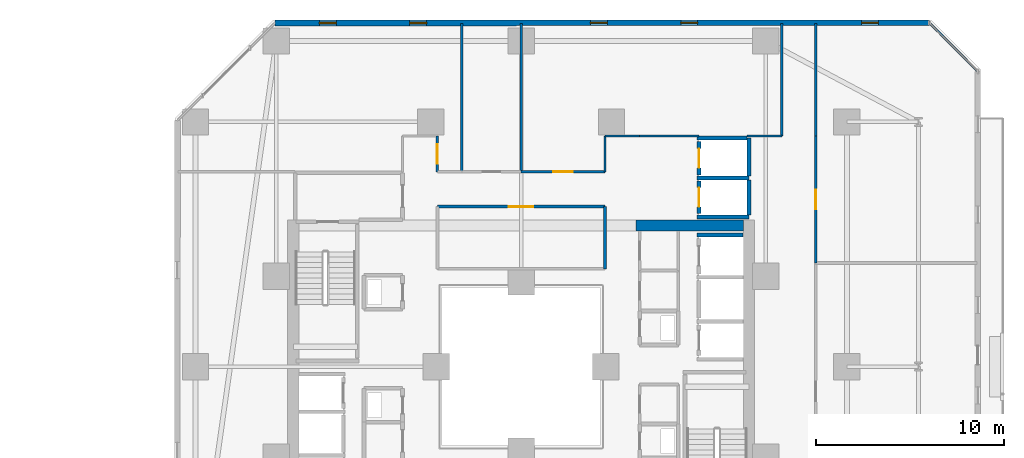
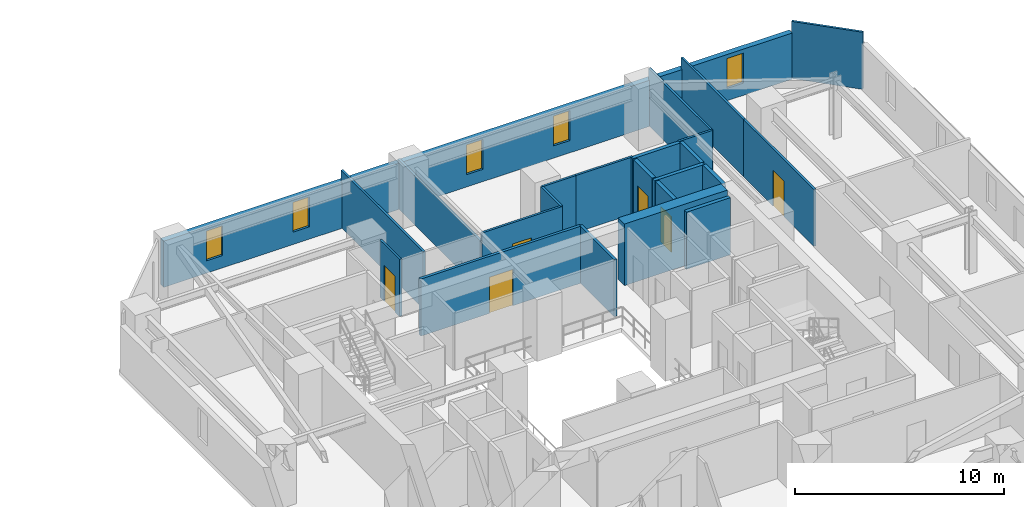
# One storey, part 25 of 33: 24 walls, 6 doors, 5 windows, 11 openings.
"""IFC4 building model written with IfcOpenShell, lengths in metres."""

from ifc_helpers import new_model, si_unit, direction, frame, frame_2d, origin, place, context, subcontext, project, spatial, rectangle, extrude, material, layer, layer_set, type_object, element, fill, save


model = new_model("IFC4")

# Units and contexts
model_context = context("Model", 3, precision=1e-05, world=origin(), true_north=direction((0.0, 1.0)))
body_context = subcontext(model_context, "Body", "Model", "MODEL_VIEW")
ifc_project = project(units=[si_unit("LENGTHUNIT", "METRE"), si_unit("AREAUNIT", "SQUARE_METRE"), si_unit("VOLUMEUNIT", "CUBIC_METRE"), si_unit("PLANEANGLEUNIT", "RADIAN"), si_unit("MASSUNIT", "GRAM", prefix="KILO")], contexts=[model_context])

# Site, building, storey
site_placement = place(None, origin())
site = spatial("IfcSite", under=ifc_project, at=site_placement, CompositionType="ELEMENT")
building_placement = place(site_placement, origin())
building = spatial("IfcBuilding", under=site, at=building_placement, Name="Thornwick Lancets Civic Towers", CompositionType="ELEMENT")
storey_placement = place(building_placement, frame((0.0, 0.0, 38.699951171875)))
storey = spatial("IfcBuildingStorey", under=building, at=storey_placement, Name="L09", CompositionType="ELEMENT", Elevation=38.699951171875)

# Wall, opening, door
ifc_material_1 = material(Name="Concrete blockwork C40/50", Category="masonry")
ifc_layer_1 = layer(ifc_material_1, 0.199951171875, Name="Concrete blockwork C40/50")
ifc_layer_set_1 = layer_set([ifc_layer_1], Name="Concrete blockwork C40/50")
wall_type_1 = type_object("IfcWallType", Name="WALL_COMP_200", PredefinedType="STANDARD", material=ifc_layer_set_1)
wall_1_placement = place(storey_placement, frame((97.949951171875, 36.8701171875, 0.0), z_axis=(0.0, 0.0, 1.0), x_axis=(0.0, -1.0, 0.0)))
wall_1 = element("IfcWall", 1, at=wall_1_placement, inside=storey, type_object=wall_type_1, Name="L09 Hoistway Front Wall PL-BL2", PredefinedType="STANDARD", context=body_context, shape_type="SweptSolid", body=[
    extrude(rectangle(XDim=1.740234375, YDim=0.199951171875, at=frame_2d((0.8701171875, 0.0))), origin(), (0.0, 0.0, 1.0), 3.340087890625),
])
opening_1_placement = place(wall_1_placement, frame((0.360107421875, 0.0, 0.0)))
opening_1 = element("IfcOpeningElement", 2, at=opening_1_placement, cuts=wall_1, Name="Opening LD-PL-BL2", PredefinedType="OPENING", context=body_context, shape_type="SweptSolid", body=[
    extrude(rectangle(XDim=1.02001953125, YDim=2.06005859375, at=frame_2d((0.510009765625, 1.030029296875))), frame((0.0, 0.10986328125, 0.0), z_axis=(0.0, -1.0, 0.0), x_axis=(1.0, 0.0, 0.0)), (0.0, 0.0, 1.0), 0.219970703125),
])
ifc_material_2 = material(Name="Brushed bronze stainless steel", Category="steel")
door_type_1 = type_object("IfcDoorType", Name="DOOR_LIFT_SLIDE", OperationType="SLIDING_TO_LEFT", PredefinedType="DOOR", material=ifc_material_2)
door_1_placement = place(opening_1_placement, origin())
door_1 = element("IfcDoor", 3, at=door_1_placement, inside=storey, type_object=door_type_1, Name="L09 Sliding Lift Landing Door LD-PL-BL2", OperationType="SLIDING_TO_LEFT", OverallHeight=2.06005859375, OverallWidth=1.02001953125, PredefinedType="DOOR", context=body_context, shape_type="SweptSolid", body=[
    extrude(rectangle(XDim=1.02001953125, YDim=2.06005859375, at=frame_2d((0.510009765625, 1.030029296875))), frame((0.0, 0.02490234375, 0.0), z_axis=(0.0, -1.0, 0.0), x_axis=(1.0, 0.0, 0.0)), (0.0, 0.0, 1.0), 0.050048828125),
])
fill(opening_1, door_1)

wall_2_placement = place(storey_placement, frame((97.949951171875, 38.969970703125, 0.0), z_axis=(0.0, 0.0, 1.0), x_axis=(0.0, -1.0, 0.0)))
wall_2 = element("IfcWall", 4, at=wall_2_placement, inside=storey, type_object=wall_type_1, Name="L09 Hoistway Front Wall PL-BL3", PredefinedType="STANDARD", context=body_context, shape_type="SweptSolid", body=[
    extrude(rectangle(XDim=1.7900390625, YDim=0.199951171875, at=frame_2d((0.89501953125, 0.0))), origin(), (0.0, 0.0, 1.0), 3.340087890625),
])
opening_2_placement = place(wall_2_placement, frame((0.385009765625, 0.0, 0.0)))
opening_2 = element("IfcOpeningElement", 5, at=opening_2_placement, cuts=wall_2, Name="Opening LD-PL-BL3", PredefinedType="OPENING", context=body_context, shape_type="SweptSolid", body=[
    extrude(rectangle(XDim=1.02001953125, YDim=2.06005859375, at=frame_2d((0.510009765625, 1.030029296875))), frame((0.0, 0.10986328125, 0.0), z_axis=(0.0, -1.0, 0.0), x_axis=(1.0, 0.0, 0.0)), (0.0, 0.0, 1.0), 0.219970703125),
])
door_2_placement = place(opening_2_placement, origin())
door_2 = element("IfcDoor", 6, at=door_2_placement, inside=storey, type_object=door_type_1, Name="L09 Sliding Lift Landing Door LD-PL-BL3", OperationType="SLIDING_TO_LEFT", OverallHeight=2.06005859375, OverallWidth=1.02001953125, PredefinedType="DOOR", context=body_context, shape_type="SweptSolid", body=[
    extrude(rectangle(XDim=1.02001953125, YDim=2.06005859375, at=frame_2d((0.510009765625, 1.030029296875))), frame((0.0, 0.02490234375, 0.0), z_axis=(0.0, -1.0, 0.0), x_axis=(1.0, 0.0, 0.0)), (0.0, 0.0, 1.0), 0.050048828125),
])
fill(opening_2, door_2)

# Walls
wall_3_placement = place(storey_placement, frame((97.85205078125, 34.0, 0.0), z_axis=(0.0, 0.0, 1.0), x_axis=(1.0, 0.0, 0.0)))
element("IfcWall", 7, at=wall_3_placement, inside=storey, type_object=wall_type_1, Name="L09 Hoistway Shaft Wall PL-BL1 N", PredefinedType="STANDARD", context=body_context, shape_type="SweptSolid", body=[
    extrude(rectangle(XDim=2.43603515625, YDim=0.199951171875, at=frame_2d((1.218017578125, 0.0))), origin(), (0.0, 0.0, 1.0), 3.340087890625),
])
for number, where, z_axis, x_axis, name in (
    (8, (97.85205078125, 37.02490234375, 0.0), (0.0, 0.0, 1.0), (1.0, 0.0, 0.0), "L09 Hoistway Shaft Wall PL-BL2 N"),
    (9, (97.85205078125, 34.949951171875, 0.0), (0.0, 0.0, 1.0), (1.0, 0.0, 0.0), "L09 Hoistway Shaft Wall PL-BL2 S"),
):
    element("IfcWall", number, at=place(storey_placement, frame(where, z_axis=z_axis, x_axis=x_axis)), inside=storey, type_object=wall_type_1, Name=name, PredefinedType="STANDARD", context=body_context, shape_type="SweptSolid", body=[
        extrude(rectangle(XDim=2.745849609375, YDim=0.199951171875, at=frame_2d((1.373046875, 0.0))), origin(), (0.0, 0.0, 1.0), 3.340087890625),
    ])
wall_4_placement = place(storey_placement, frame((100.60009765625, 35.06201171875, 0.0), z_axis=(0.0, 0.0, 1.0), x_axis=(0.0, 1.0, 0.0)))
element("IfcWall", 10, at=wall_4_placement, inside=storey, type_object=wall_type_1, Name="L09 Hoistway Shaft Wall PL-BL2 E", PredefinedType="STANDARD", context=body_context, shape_type="SweptSolid", body=[
    extrude(rectangle(XDim=1.85595703125, YDim=0.199951171875, at=frame_2d((0.927978515625, 0.0))), origin(), (0.0, 0.0, 1.0), 3.340087890625),
])
wall_5_placement = place(storey_placement, frame((100.60009765625, 37.132080078125, 0.0), z_axis=(0.0, 0.0, 1.0), x_axis=(0.0, 1.0, 0.0)))
element("IfcWall", 11, at=wall_5_placement, inside=storey, type_object=wall_type_1, Name="L09 Hoistway Shaft Wall PL-BL2 E", PredefinedType="STANDARD", context=body_context, shape_type="SweptSolid", body=[
    extrude(rectangle(XDim=2.015869140625, YDim=0.199951171875, at=frame_2d((1.0078125, 0.0))), origin(), (0.0, 0.0, 1.0), 3.340087890625),
])
wall_6_placement = place(storey_placement, frame((97.85205078125, 39.14990234375, 0.0), z_axis=(0.0, 0.0, 1.0), x_axis=(1.0, 0.0, 0.0)))
element("IfcWall", 12, at=wall_6_placement, inside=storey, type_object=wall_type_1, Name="L09 Hoistway Shaft Wall PL-BL3 N", PredefinedType="STANDARD", context=body_context, shape_type="SweptSolid", body=[
    extrude(rectangle(XDim=2.635986328125, YDim=0.199951171875, at=frame_2d((1.31787109375, 0.0))), origin(), (0.0, 0.0, 1.0), 3.340087890625),
])
ifc_material_3 = material(Name="Concrete C60/75", Category="concrete")
ifc_layer_2 = layer(ifc_material_3, 0.60009765625, Name="Concrete C60/75")
ifc_layer_set_2 = layer_set([ifc_layer_2], Name="Concrete C60/75")
wall_type_2 = type_object("IfcWallType", Name="WALL_CORE_600", PredefinedType="SHEAR", material=ifc_layer_set_2)
wall_7_placement = place(storey_placement, frame((94.60009765625, 34.5, 0.0), z_axis=(0.0, 0.0, 1.0), x_axis=(1.0, 0.0, 0.0)))
element("IfcWall", 13, at=wall_7_placement, inside=storey, type_object=wall_type_2, Name="L09 Split Core B1 Shear Wall N", PredefinedType="SHEAR", context=body_context, shape_type="SweptSolid", body=[
    extrude(rectangle(XDim=5.699951171875, YDim=0.60009765625, at=frame_2d((2.85009765625, 0.0))), origin(), (0.0, 0.0, 1.0), 3.60009765625),
])

# Wall, openings, windows
ifc_material_4 = material(Name="Insulated russet terracotta rainscreen on concrete C40/50", Category="masonry")
ifc_layer_3 = layer(ifc_material_4, 0.300048828125, Name="Insulated russet terracotta rainscreen on concrete C40/50")
ifc_layer_set_3 = layer_set([ifc_layer_3], Name="Insulated russet terracotta rainscreen on concrete C40/50")
wall_type_3 = type_object("IfcWallType", Name="WALL_EXT_RUSSET_300", PredefinedType="STANDARD", material=ifc_layer_set_3)
wall_8_placement = place(storey_placement, frame((110.18115234375, 45.264892578125, 0.0), z_axis=(0.0, 0.0, 1.0), x_axis=(-0.999999969775, -0.000245864205, 0.0)))
wall_8 = element("IfcWall", 14, at=wall_8_placement, inside=storey, type_object=wall_type_3, Name="L09 Tower B Terracotta Facade Wall E4", PredefinedType="STANDARD", context=body_context, shape_type="SweptSolid", body=[
    extrude(rectangle(XDim=34.754638671875, YDim=0.300048828125, at=frame_2d((17.37744140625, 0.0))), origin(), (0.0, 0.0, 1.0), 2.699951171875),
])
opening_3_placement = place(wall_8_placement, frame((2.699951171875, 0.0, 0.719970703125)))
opening_3 = element("IfcOpeningElement", 15, at=opening_3_placement, cuts=wall_8, Name="Opening WL-01", PredefinedType="OPENING", context=body_context, shape_type="SweptSolid", body=[
    extrude(rectangle(XDim=0.89990234375, YDim=1.75, at=frame_2d((0.449951171875, 0.875))), frame((0.0, 0.16015625, 0.0), z_axis=(0.0, -1.0, 0.0), x_axis=(1.0, 0.0, 0.0)), (0.0, 0.0, 1.0), 0.320068359375),
])
opening_4_placement = place(wall_8_placement, frame((12.300048828125, 0.0, 0.719970703125)))
opening_4 = element("IfcOpeningElement", 16, at=opening_4_placement, cuts=wall_8, Name="Opening WL-01", PredefinedType="OPENING", context=body_context, shape_type="SweptSolid", body=[
    extrude(rectangle(XDim=0.89990234375, YDim=1.75, at=frame_2d((0.449951171875, 0.875))), frame((0.0, 0.16015625, 0.0), z_axis=(0.0, -1.0, 0.0), x_axis=(1.0, 0.0, 0.0)), (0.0, 0.0, 1.0), 0.320068359375),
])
opening_5_placement = place(wall_8_placement, frame((17.10009765625, 0.0, 0.719970703125)))
opening_5 = element("IfcOpeningElement", 17, at=opening_5_placement, cuts=wall_8, Name="Opening WL-01", PredefinedType="OPENING", context=body_context, shape_type="SweptSolid", body=[
    extrude(rectangle(XDim=0.89990234375, YDim=1.75, at=frame_2d((0.449951171875, 0.875))), frame((0.0, 0.16015625, 0.0), z_axis=(0.0, -1.0, 0.0), x_axis=(1.0, 0.0, 0.0)), (0.0, 0.0, 1.0), 0.320068359375),
])
opening_6_placement = place(wall_8_placement, frame((26.699951171875, 0.0, 0.719970703125)))
opening_6 = element("IfcOpeningElement", 18, at=opening_6_placement, cuts=wall_8, Name="Opening WL-01", PredefinedType="OPENING", context=body_context, shape_type="SweptSolid", body=[
    extrude(rectangle(XDim=0.89990234375, YDim=1.75, at=frame_2d((0.449951171875, 0.875))), frame((0.0, 0.16015625, 0.0), z_axis=(0.0, -1.0, 0.0), x_axis=(1.0, 0.0, 0.0)), (0.0, 0.0, 1.0), 0.320068359375),
])
opening_7_placement = place(wall_8_placement, frame((31.5, 0.0, 0.719970703125)))
opening_7 = element("IfcOpeningElement", 19, at=opening_7_placement, cuts=wall_8, Name="Opening WL-01", PredefinedType="OPENING", context=body_context, shape_type="SweptSolid", body=[
    extrude(rectangle(XDim=0.89990234375, YDim=1.75, at=frame_2d((0.449951171875, 0.875))), frame((0.0, 0.16015625, 0.0), z_axis=(0.0, -1.0, 0.0), x_axis=(1.0, 0.0, 0.0)), (0.0, 0.0, 1.0), 0.320068359375),
])
ifc_material_5 = material(Name="Clear low-e double glazing in bronze frame", Category="glass")
window_type = type_object("IfcWindowType", Name="WIN_LANCET_900", PartitioningType="SINGLE_PANEL", PredefinedType="WINDOW", material=ifc_material_5)
window_1_placement = place(opening_3_placement, origin())
window_1 = element("IfcWindow", 20, at=window_1_placement, inside=storey, type_object=window_type, Name="L09 Tower B Staggered Lancet Window E4-1", OverallHeight=1.75, OverallWidth=0.89990234375, PartitioningType="SINGLE_PANEL", PredefinedType="WINDOW", context=body_context, shape_type="SweptSolid", body=[
    extrude(rectangle(XDim=0.89990234375, YDim=1.75, at=frame_2d((0.449951171875, 0.875))), frame((0.0, 0.030029296875, 0.0), z_axis=(0.0, -1.0, 0.0), x_axis=(1.0, 0.0, 0.0)), (0.0, 0.0, 1.0), 0.06005859375),
])
fill(opening_3, window_1)
window_2_placement = place(opening_4_placement, origin())
window_2 = element("IfcWindow", 21, at=window_2_placement, inside=storey, type_object=window_type, Name="L09 Tower B Staggered Lancet Window E4-2", OverallHeight=1.75, OverallWidth=0.89990234375, PartitioningType="SINGLE_PANEL", PredefinedType="WINDOW", context=body_context, shape_type="SweptSolid", body=[
    extrude(rectangle(XDim=0.89990234375, YDim=1.75, at=frame_2d((0.449951171875, 0.875))), frame((0.0, 0.030029296875, 0.0), z_axis=(0.0, -1.0, 0.0), x_axis=(1.0, 0.0, 0.0)), (0.0, 0.0, 1.0), 0.06005859375),
])
fill(opening_4, window_2)
window_3_placement = place(opening_5_placement, origin())
window_3 = element("IfcWindow", 22, at=window_3_placement, inside=storey, type_object=window_type, Name="L09 Tower B Staggered Lancet Window E4-3", OverallHeight=1.75, OverallWidth=0.89990234375, PartitioningType="SINGLE_PANEL", PredefinedType="WINDOW", context=body_context, shape_type="SweptSolid", body=[
    extrude(rectangle(XDim=0.89990234375, YDim=1.75, at=frame_2d((0.449951171875, 0.875))), frame((0.0, 0.030029296875, 0.0), z_axis=(0.0, -1.0, 0.0), x_axis=(1.0, 0.0, 0.0)), (0.0, 0.0, 1.0), 0.06005859375),
])
fill(opening_5, window_3)
window_4_placement = place(opening_6_placement, origin())
window_4 = element("IfcWindow", 23, at=window_4_placement, inside=storey, type_object=window_type, Name="L09 Tower B Staggered Lancet Window E4-4", OverallHeight=1.75, OverallWidth=0.89990234375, PartitioningType="SINGLE_PANEL", PredefinedType="WINDOW", context=body_context, shape_type="SweptSolid", body=[
    extrude(rectangle(XDim=0.89990234375, YDim=1.75, at=frame_2d((0.449951171875, 0.875))), frame((0.0, 0.030029296875, 0.0), z_axis=(0.0, -1.0, 0.0), x_axis=(1.0, 0.0, 0.0)), (0.0, 0.0, 1.0), 0.06005859375),
])
fill(opening_6, window_4)
window_5_placement = place(opening_7_placement, origin())
window_5 = element("IfcWindow", 24, at=window_5_placement, inside=storey, type_object=window_type, Name="L09 Tower B Staggered Lancet Window E4-5", OverallHeight=1.75, OverallWidth=0.89990234375, PartitioningType="SINGLE_PANEL", PredefinedType="WINDOW", context=body_context, shape_type="SweptSolid", body=[
    extrude(rectangle(XDim=0.89990234375, YDim=1.75, at=frame_2d((0.449951171875, 0.875))), frame((0.0, 0.030029296875, 0.0), z_axis=(0.0, -1.0, 0.0), x_axis=(1.0, 0.0, 0.0)), (0.0, 0.0, 1.0), 0.06005859375),
])
fill(opening_7, window_5)

# Walls
ifc_material_6 = material(Name="Acoustic gypsum board partition")
ifc_layer_4 = layer(ifc_material_6, 0.1201171875, Name="Acoustic gypsum board partition")
ifc_layer_set_4 = layer_set([ifc_layer_4], Name="Acoustic gypsum board partition")
wall_type_4 = type_object("IfcWallType", Name="WALL_PART_120", PredefinedType="PARTITIONING", material=ifc_layer_set_4)
wall_9_placement = place(storey_placement, frame((97.949951171875, 39.25, 0.0), z_axis=(0.0, 0.0, 1.0), x_axis=(-1.0, 0.0, 0.0)))
element("IfcWall", 25, at=wall_9_placement, inside=storey, type_object=wall_type_4, Name="L09 Partition L09-B-E1 E1", PredefinedType="PARTITIONING", context=body_context, shape_type="SweptSolid", body=[
    extrude(rectangle(XDim=3.14990234375, YDim=0.1201171875, at=frame_2d((1.574951171875, 0.0))), origin(), (0.0, 0.0, 1.0), 3.340087890625),
])
wall_10_placement = place(storey_placement, frame((94.800048828125, 39.25, 0.0), z_axis=(0.0, 0.0, 1.0), x_axis=(-1.0, 0.0, 0.0)))
element("IfcWall", 26, at=wall_10_placement, inside=storey, type_object=wall_type_4, Name="L09 Partition L09-B-E1 E2", PredefinedType="PARTITIONING", context=body_context, shape_type="SweptSolid", body=[
    extrude(rectangle(XDim=1.85009765625, YDim=0.1201171875, at=frame_2d((0.925048828125, 0.0))), origin(), (0.0, 0.0, 1.0), 3.340087890625),
])
wall_11_placement = place(storey_placement, frame((92.949951171875, 39.25, 0.0), z_axis=(0.0, 0.0, 1.0), x_axis=(0.0, -1.0, 0.0)))
element("IfcWall", 27, at=wall_11_placement, inside=storey, type_object=wall_type_4, Name="L09 Partition L09-B-E1 E3", PredefinedType="PARTITIONING", context=body_context, shape_type="SweptSolid", body=[
    extrude(rectangle(XDim=1.89990234375, YDim=0.1201171875, at=frame_2d((0.949951171875, 0.0))), origin(), (0.0, 0.0, 1.0), 3.340087890625),
])

# Wall, opening, door
wall_12_placement = place(storey_placement, frame((92.949951171875, 37.35009765625, 0.0), z_axis=(0.0, 0.0, 1.0), x_axis=(-1.0, 0.0, 0.0)))
wall_12 = element("IfcWall", 28, at=wall_12_placement, inside=storey, type_object=wall_type_4, Name="L09 Partition L09-B-E1 E4", PredefinedType="PARTITIONING", context=body_context, shape_type="SweptSolid", body=[
    extrude(rectangle(XDim=4.449951171875, YDim=0.1201171875, at=frame_2d((2.22509765625, 0.0))), origin(), (0.0, 0.0, 1.0), 3.340087890625),
])
opening_8_placement = place(wall_12_placement, frame((1.699951171875, 0.0, 0.0)))
opening_8 = element("IfcOpeningElement", 29, at=opening_8_placement, cuts=wall_12, Name="Opening D-L09-0475", PredefinedType="OPENING", context=body_context, shape_type="SweptSolid", body=[
    extrude(rectangle(XDim=1.050048828125, YDim=2.10009765625, at=frame_2d((0.52490234375, 1.050048828125))), frame((0.0, 0.070068359375, 0.0), z_axis=(0.0, -1.0, 0.0), x_axis=(1.0, 0.0, 0.0)), (0.0, 0.0, 1.0), 0.14013671875),
])
ifc_material_7 = material(Name="Glazed European oak executive doorset")
door_type_2 = type_object("IfcDoorType", Name="DOOR_OFFICE_1050", OperationType="NOTDEFINED", PredefinedType="DOOR", material=ifc_material_7)
door_3_placement = place(opening_8_placement, origin())
door_3 = element("IfcDoor", 30, at=door_3_placement, inside=storey, type_object=door_type_2, Name="L09 Tower B Secretariat Open Office E1 Door", OperationType="SINGLE_SWING_RIGHT", OverallHeight=2.10009765625, OverallWidth=1.050048828125, PredefinedType="DOOR", context=body_context, shape_type="SweptSolid", body=[
    extrude(rectangle(XDim=1.050048828125, YDim=2.10009765625, at=frame_2d((0.52490234375, 1.050048828125))), frame((0.0, 0.02490234375, 0.0), z_axis=(0.0, -1.0, 0.0), x_axis=(1.0, 0.0, 0.0)), (0.0, 0.0, 1.0), 0.050048828125),
])
fill(opening_8, door_3)

# Walls
wall_13_placement = place(storey_placement, frame((88.5, 37.35009765625, 0.0), z_axis=(0.0, 0.0, 1.0), x_axis=(0.0, 1.0, 0.0)))
element("IfcWall", 31, at=wall_13_placement, inside=storey, type_object=wall_type_4, Name="L09 Partition L09-B-E1 E5", PredefinedType="PARTITIONING", context=body_context, shape_type="SweptSolid", body=[
    extrude(rectangle(XDim=7.869873046875, YDim=0.1201171875, at=frame_2d((3.93505859375, 0.0))), origin(), (0.0, 0.0, 1.0), 2.881591796875),
])
wall_14_placement = place(storey_placement, frame((102.35009765625, 45.219970703125, 0.0), z_axis=(0.0, 0.0, 1.0), x_axis=(0.0, -1.0, 0.0)))
element("IfcWall", 32, at=wall_14_placement, inside=storey, type_object=wall_type_4, Name="L09 Partition L09-B-E1 E7", PredefinedType="PARTITIONING", context=body_context, shape_type="SweptSolid", body=[
    extrude(rectangle(XDim=5.969970703125, YDim=0.1201171875, at=frame_2d((2.98486328125, 0.0))), origin(), (0.0, 0.0, 1.0), 3.340087890625),
])
wall_15_placement = place(storey_placement, frame((102.35009765625, 39.25, 0.0), z_axis=(0.0, 0.0, 1.0), x_axis=(-1.0, 0.0, 0.0)))
element("IfcWall", 33, at=wall_15_placement, inside=storey, type_object=wall_type_4, Name="L09 Partition L09-B-E1 E8", PredefinedType="PARTITIONING", context=body_context, shape_type="SweptSolid", body=[
    extrude(rectangle(XDim=1.862060546875, YDim=0.1201171875, at=frame_2d((0.93115234375, 0.0))), origin(), (0.0, 0.0, 1.0), 3.340087890625),
])
wall_16_placement = place(storey_placement, frame((85.35009765625, 37.35009765625, 0.0), z_axis=(0.0, 0.0, 1.0), x_axis=(0.0, 1.0, 0.0)))
element("IfcWall", 34, at=wall_16_placement, inside=storey, type_object=wall_type_4, Name="L09 Partition L09-B-E2 E1", PredefinedType="PARTITIONING", context=body_context, shape_type="SweptSolid", body=[
    extrude(rectangle(XDim=7.869873046875, YDim=0.1201171875, at=frame_2d((3.93505859375, 0.0))), origin(), (0.0, 0.0, 1.0), 3.340087890625),
])

# Wall, opening, door
wall_17_placement = place(storey_placement, frame((84.050048828125, 37.35009765625, 0.0), z_axis=(0.0, 0.0, 1.0), x_axis=(0.0, 1.0, 0.0)))
wall_17 = element("IfcWall", 35, at=wall_17_placement, inside=storey, type_object=wall_type_4, Name="L09 Partition L09-B-E3 E1", PredefinedType="PARTITIONING", context=body_context, shape_type="SweptSolid", body=[
    extrude(rectangle(XDim=1.89990234375, YDim=0.1201171875, at=frame_2d((0.949951171875, 0.0))), origin(), (0.0, 0.0, 1.0), 3.340087890625),
])
opening_9_placement = place(wall_17_placement, frame((0.425048828125, 0.0, 0.0)))
opening_9 = element("IfcOpeningElement", 36, at=opening_9_placement, cuts=wall_17, Name="Opening D-L09-0477", PredefinedType="OPENING", context=body_context, shape_type="SweptSolid", body=[
    extrude(rectangle(XDim=1.050048828125, YDim=2.10009765625, at=frame_2d((0.52490234375, 1.050048828125))), frame((0.0, 0.070068359375, 0.0), z_axis=(0.0, -1.0, 0.0), x_axis=(1.0, 0.0, 0.0)), (0.0, 0.0, 1.0), 0.14013671875),
])
door_4_placement = place(opening_9_placement, origin())
door_4 = element("IfcDoor", 37, at=door_4_placement, inside=storey, type_object=door_type_2, Name="L09 Tower B Civic Seminar Room Door", OperationType="SINGLE_SWING_RIGHT", OverallHeight=2.10009765625, OverallWidth=1.050048828125, PredefinedType="DOOR", context=body_context, shape_type="SweptSolid", body=[
    extrude(rectangle(XDim=1.050048828125, YDim=2.10009765625, at=frame_2d((0.52490234375, 1.050048828125))), frame((0.0, 0.02490234375, 0.0), z_axis=(0.0, -1.0, 0.0), x_axis=(1.0, 0.0, 0.0)), (0.0, 0.0, 1.0), 0.050048828125),
])
fill(opening_9, door_4)

wall_18_placement = place(storey_placement, frame((104.14990234375, 32.5, 0.0), z_axis=(0.0, 0.0, 1.0), x_axis=(0.0, 1.0, 0.0)))
wall_18 = element("IfcWall", 38, at=wall_18_placement, inside=storey, type_object=wall_type_4, Name="L09 Partition L09-B-S-OFF2 E1", PredefinedType="PARTITIONING", context=body_context, shape_type="SweptSolid", body=[
    extrude(rectangle(XDim=6.75, YDim=0.1201171875, at=frame_2d((3.375, 0.0))), origin(), (0.0, 0.0, 1.0), 3.340087890625),
])
opening_10_placement = place(wall_18_placement, frame((2.85009765625, 0.0, 0.0)))
opening_10 = element("IfcOpeningElement", 39, at=opening_10_placement, cuts=wall_18, Name="Opening D-L09-0482", PredefinedType="OPENING", context=body_context, shape_type="SweptSolid", body=[
    extrude(rectangle(XDim=1.050048828125, YDim=2.10009765625, at=frame_2d((0.52490234375, 1.050048828125))), frame((0.0, 0.070068359375, 0.0), z_axis=(0.0, -1.0, 0.0), x_axis=(1.0, 0.0, 0.0)), (0.0, 0.0, 1.0), 0.14013671875),
])
door_5_placement = place(opening_10_placement, origin())
door_5 = element("IfcDoor", 40, at=door_5_placement, inside=storey, type_object=door_type_2, Name="L09 Tower B South-East Division Office Door", OperationType="SINGLE_SWING_LEFT", OverallHeight=2.10009765625, OverallWidth=1.050048828125, PredefinedType="DOOR", context=body_context, shape_type="SweptSolid", body=[
    extrude(rectangle(XDim=1.050048828125, YDim=2.10009765625, at=frame_2d((0.52490234375, 1.050048828125))), frame((0.0, 0.02490234375, 0.0), z_axis=(0.0, -1.0, 0.0), x_axis=(1.0, 0.0, 0.0)), (0.0, 0.0, 1.0), 0.050048828125),
])
fill(opening_10, door_5)

# Walls
wall_19_placement = place(storey_placement, frame((104.14990234375, 39.25, 0.0), z_axis=(0.0, 0.0, 1.0), x_axis=(0.0, 1.0, 0.0)))
element("IfcWall", 41, at=wall_19_placement, inside=storey, type_object=wall_type_4, Name="L09 Partition L09-B-S-OFF2 E2", PredefinedType="PARTITIONING", context=body_context, shape_type="SweptSolid", body=[
    extrude(rectangle(XDim=5.969970703125, YDim=0.1201171875, at=frame_2d((2.98486328125, 0.0))), origin(), (0.0, 0.0, 1.0), 3.340087890625),
])
wall_20_placement = place(storey_placement, frame((110.225341796875, 45.219970703125, 0.0), z_axis=(0.0, 0.0, 1.0), x_axis=(0.707106781187, -0.707106781187, 0.0)))
element("IfcWall", 42, at=wall_20_placement, inside=storey, type_object=wall_type_4, Name="L09 Partition L09-B-S-OFF2 E4", PredefinedType="PARTITIONING", context=body_context, shape_type="SweptSolid", body=[
    extrude(rectangle(XDim=3.52783203125, YDim=0.1201171875, at=frame_2d((1.763916015625, 0.0))), origin(), (0.0, 0.0, 1.0), 3.340087890625),
])

# Wall, opening, door
ifc_material_8 = material(Name="Twin-stud acoustic gypsum board")
ifc_layer_5 = layer(ifc_material_8, 0.14990234375, Name="Twin-stud acoustic gypsum board")
ifc_layer_set_5 = layer_set([ifc_layer_5], Name="Twin-stud acoustic gypsum board")
wall_type_5 = type_object("IfcWallType", Name="WALL_PART_150", PredefinedType="PARTITIONING", material=ifc_layer_set_5)
wall_21_placement = place(storey_placement, frame((84.050048828125, 35.5, 0.0), z_axis=(0.0, 0.0, 1.0), x_axis=(1.0, 0.0, 0.0)))
wall_21 = element("IfcWall", 43, at=wall_21_placement, inside=storey, type_object=wall_type_5, Name="L09 Partition L09-B-ATR-E E2", PredefinedType="PARTITIONING", context=body_context, shape_type="SweptSolid", body=[
    extrude(rectangle(XDim=8.89990234375, YDim=0.14990234375, at=frame_2d((4.449951171875, 0.0))), origin(), (0.0, 0.0, 1.0), 3.340087890625),
])
opening_11_placement = place(wall_21_placement, frame((3.800048828125, 0.0, 0.0)))
opening_11 = element("IfcOpeningElement", 44, at=opening_11_placement, cuts=wall_21, Name="Opening D-L09-0478", PredefinedType="OPENING", context=body_context, shape_type="SweptSolid", body=[
    extrude(rectangle(XDim=1.300048828125, YDim=2.1201171875, at=frame_2d((0.64990234375, 1.06005859375))), frame((0.0, 0.0849609375, 0.0), z_axis=(0.0, -1.0, 0.0), x_axis=(1.0, 0.0, 0.0)), (0.0, 0.0, 1.0), 0.169921875),
])
ifc_material_9 = material(Name="Acoustic oak leaf-and-a-half doorset")
door_type_3 = type_object("IfcDoorType", Name="DOOR_MEET_1300", OperationType="DOUBLE_DOOR_SINGLE_SWING", PredefinedType="DOOR", material=ifc_material_9)
door_6_placement = place(opening_11_placement, origin())
door_6 = element("IfcDoor", 45, at=door_6_placement, inside=storey, type_object=door_type_3, Name="L09 Tower B East Atrium Briefing Suite Door", OperationType="DOUBLE_DOOR_SINGLE_SWING", OverallHeight=2.1201171875, OverallWidth=1.300048828125, PredefinedType="DOOR", context=body_context, shape_type="SweptSolid", body=[
    extrude(rectangle(XDim=1.300048828125, YDim=2.1201171875, at=frame_2d((0.64990234375, 1.06005859375))), frame((0.0, 0.02490234375, 0.0), z_axis=(0.0, -1.0, 0.0), x_axis=(1.0, 0.0, 0.0)), (0.0, 0.0, 1.0), 0.050048828125),
])
fill(opening_11, door_6)

# Wall
wall_22_placement = place(storey_placement, frame((92.949951171875, 35.5, 0.0), z_axis=(0.0, 0.0, 1.0), x_axis=(0.0, -1.0, 0.0)))
element("IfcWall", 46, at=wall_22_placement, inside=storey, type_object=wall_type_5, Name="L09 Partition L09-B-ATR-E E3", PredefinedType="PARTITIONING", context=body_context, shape_type="SweptSolid", body=[
    extrude(rectangle(XDim=3.300048828125, YDim=0.14990234375, at=frame_2d((1.64990234375, 0.0))), origin(), (0.0, 0.0, 1.0), 3.340087890625),
])

save(model, "model.ifc")
